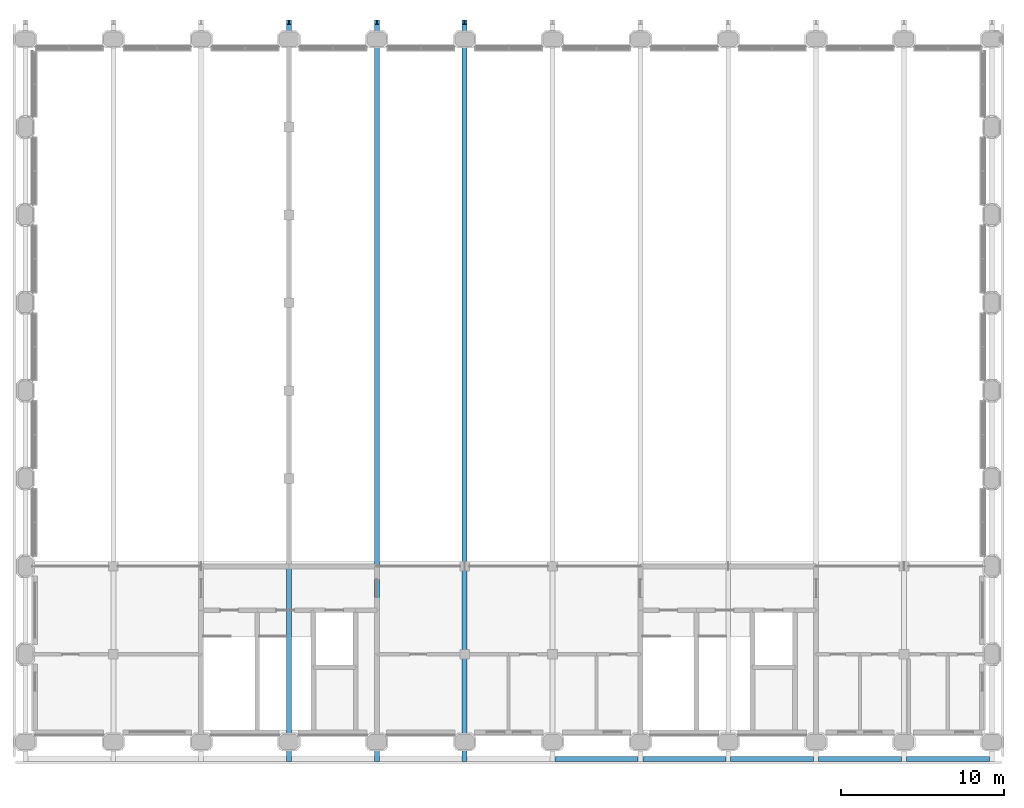
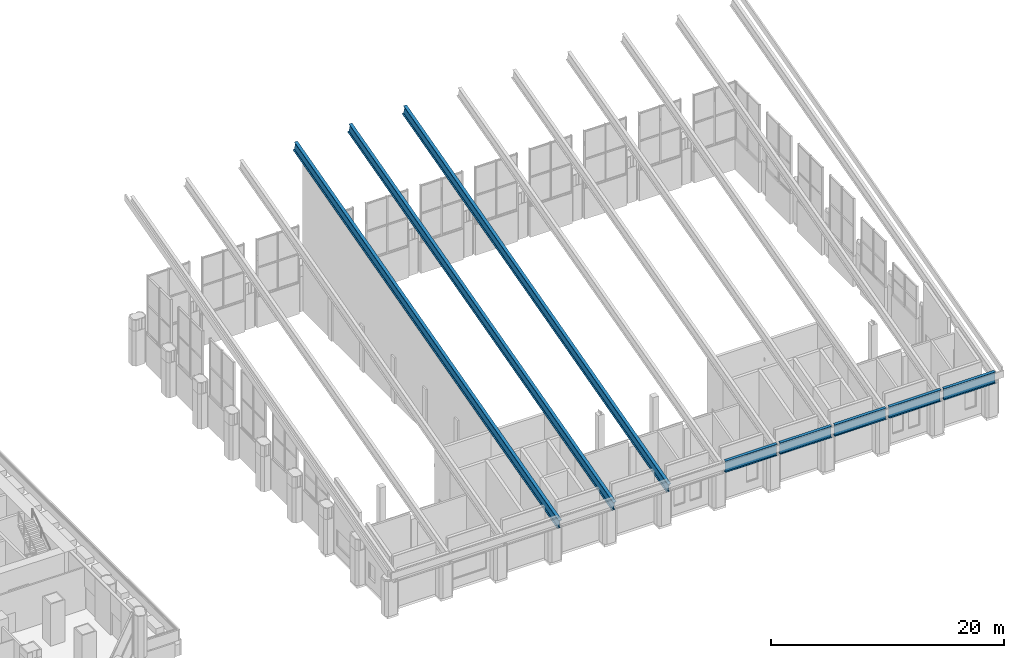
# One storey, part 15 of 42: 8 beams.
"""IFC4 building model written with IfcOpenShell, lengths in metres."""

from ifc_helpers import new_model, si_unit, direction, frame, origin, origin_2d, place, context, subcontext, project, spatial, i_section, extrude, material, material_profile, profile_set, type_object, element, save


model = new_model("IFC4")

# Units and contexts
model_context = context("Model", 3, precision=1e-05, world=origin(), true_north=direction((0.0, 1.0)))
body_context = subcontext(model_context, "Body", "Model", "MODEL_VIEW")
ifc_project = project(units=[si_unit("LENGTHUNIT", "METRE"), si_unit("AREAUNIT", "SQUARE_METRE"), si_unit("VOLUMEUNIT", "CUBIC_METRE"), si_unit("PLANEANGLEUNIT", "RADIAN"), si_unit("MASSUNIT", "GRAM", prefix="KILO")], contexts=[model_context])

# Site, building, storey
site_placement = place(None, origin())
site = spatial("IfcSite", under=ifc_project, at=site_placement, CompositionType="ELEMENT")
building_placement = place(site_placement, origin())
building = spatial("IfcBuilding", under=site, at=building_placement, Name="Tabaq Tower and Sports Hall", CompositionType="ELEMENT")
storey_placement = place(building_placement, frame((0.0, 0.0, 19.800048828125)))
storey = spatial("IfcBuildingStorey", under=building, at=storey_placement, Name="L03", CompositionType="ELEMENT", Elevation=19.800048828125)

# Beams
ifc_material_1 = material(Name="Steel S355", Category="steel")
ifc_material_profile_1 = material_profile(ifc_material_1, i_section(OverallWidth=0.300048828125, OverallDepth=1.199951171875, WebThickness=0.01611328125, FlangeThickness=0.030029296875, at=origin_2d()), Name="PG 1200x300x16x30")
ifc_profile_set_1 = profile_set([ifc_material_profile_1], Name="Steel S355")
beam_type_1 = type_object("IfcBeamType", Name="HALL FASCIA BEAM PG 1200x300x16x30", PredefinedType="BEAM", material=ifc_profile_set_1)
beam_1_placement = place(storey_placement, frame((97.35009765625, -1.050048828125, 4.5185546875), z_axis=(1.0, 0.0, 0.0), x_axis=(0.0, 1.0, 0.0)))
element("IfcBeam", 1, at=beam_1_placement, inside=storey, type_object=beam_type_1, Name="Roof fascia beam S07", PredefinedType="BEAM", context=body_context, shape_type="SweptSolid", body=[
    extrude(i_section(OverallWidth=0.300048828125, OverallDepth=1.199951171875, WebThickness=0.01611328125, FlangeThickness=0.030029296875, at=origin_2d()), origin(), (0.0, 0.0, 1.0), 5.099853515625),
])
for number, where, z_axis, x_axis, name in (
    (2, (102.75, -1.050048828125, 4.5185546875), (1.0, 0.0, 0.0), (0.0, 1.0, 0.0), "Roof fascia beam S08"),
    (3, (108.14990234375, -1.050048828125, 4.5185546875), (1.0, 0.0, 0.0), (0.0, 1.0, 0.0), "Roof fascia beam S09"),
):
    element("IfcBeam", number, at=place(storey_placement, frame(where, z_axis=z_axis, x_axis=x_axis)), inside=storey, type_object=beam_type_1, Name=name, PredefinedType="BEAM", context=body_context, shape_type="SweptSolid", body=[
        extrude(i_section(OverallWidth=0.300048828125, OverallDepth=1.199951171875, WebThickness=0.01611328125, FlangeThickness=0.030029296875, at=origin_2d()), origin(), (0.0, 0.0, 1.0), 5.10009765625),
    ])
beam_2_placement = place(storey_placement, frame((113.550048828125, -1.050048828125, 4.5185546875), z_axis=(1.0, 0.0, 0.0), x_axis=(0.0, 1.0, 0.0)))
element("IfcBeam", 4, at=beam_2_placement, inside=storey, type_object=beam_type_1, Name="Roof fascia beam S10", PredefinedType="BEAM", context=body_context, shape_type="SweptSolid", body=[
    extrude(i_section(OverallWidth=0.300048828125, OverallDepth=1.199951171875, WebThickness=0.01611328125, FlangeThickness=0.030029296875, at=origin_2d()), origin(), (0.0, 0.0, 1.0), 5.099853515625),
])
beam_3_placement = place(storey_placement, frame((118.949951171875, -1.050048828125, 4.5185546875), z_axis=(1.0, 0.0, 0.0), x_axis=(0.0, 1.0, 0.0)))
element("IfcBeam", 5, at=beam_3_placement, inside=storey, type_object=beam_type_1, Name="Roof fascia beam S11", PredefinedType="BEAM", context=body_context, shape_type="SweptSolid", body=[
    extrude(i_section(OverallWidth=0.300048828125, OverallDepth=1.199951171875, WebThickness=0.01611328125, FlangeThickness=0.030029296875, at=origin_2d()), origin(), (0.0, 0.0, 1.0), 5.10009765625),
])
ifc_material_2 = material(Name="Steel S355", Category="steel")
ifc_material_profile_2 = material_profile(ifc_material_2, i_section(OverallWidth=0.305419921875, OverallDepth=1.026123046875, WebThickness=0.02685546875, FlangeThickness=0.048095703125, FilletRadius=0.030029296875, at=origin_2d()), Name="UB 1016x305x437")
ifc_profile_set_2 = profile_set([ifc_material_profile_2], Name="Steel S355")
beam_type_2 = type_object("IfcBeamType", Name="HALL ROOF GIRDER UB 1016x305x437", PredefinedType="BEAM", material=ifc_profile_set_2)
for number, where, z_axis, x_axis, name in (
    (6, (81.0, -1.050048828125, 4.171875), (0.0, 0.96592544198, 0.258820479358), (-1.0, 0.0, 0.0), "Roof girder 16"),
    (7, (86.39990234375, -1.050048828125, 4.171875), (0.0, 0.96592544198, 0.258820479358), (-1.0, 0.0, 0.0), "Roof girder 17"),
    (8, (91.800048828125, -1.050048828125, 4.171875), (0.0, 0.96592544198, 0.258820479358), (-1.0, 0.0, 0.0), "Roof girder 18"),
):
    element("IfcBeam", number, at=place(storey_placement, frame(where, z_axis=z_axis, x_axis=x_axis)), inside=storey, type_object=beam_type_2, Name=name, PredefinedType="BEAM", context=body_context, shape_type="SweptSolid", body=[
        extrude(i_section(OverallWidth=0.305419921875, OverallDepth=1.026123046875, WebThickness=0.02685546875, FlangeThickness=0.048095703125, FilletRadius=0.030029296875, at=origin_2d()), origin(), (0.0, 0.0, 1.0), 46.898193359375),
    ])

save(model, "model.ifc")
